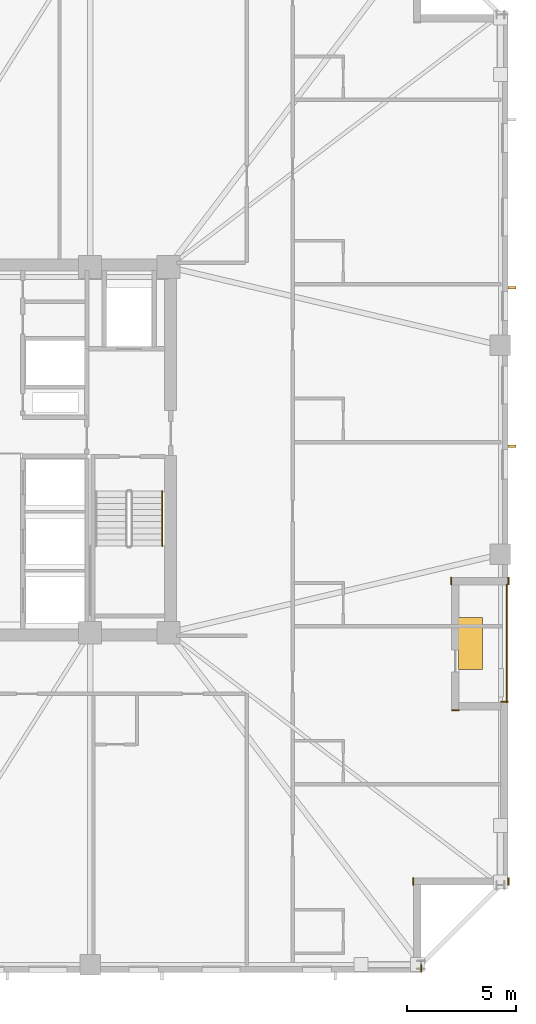
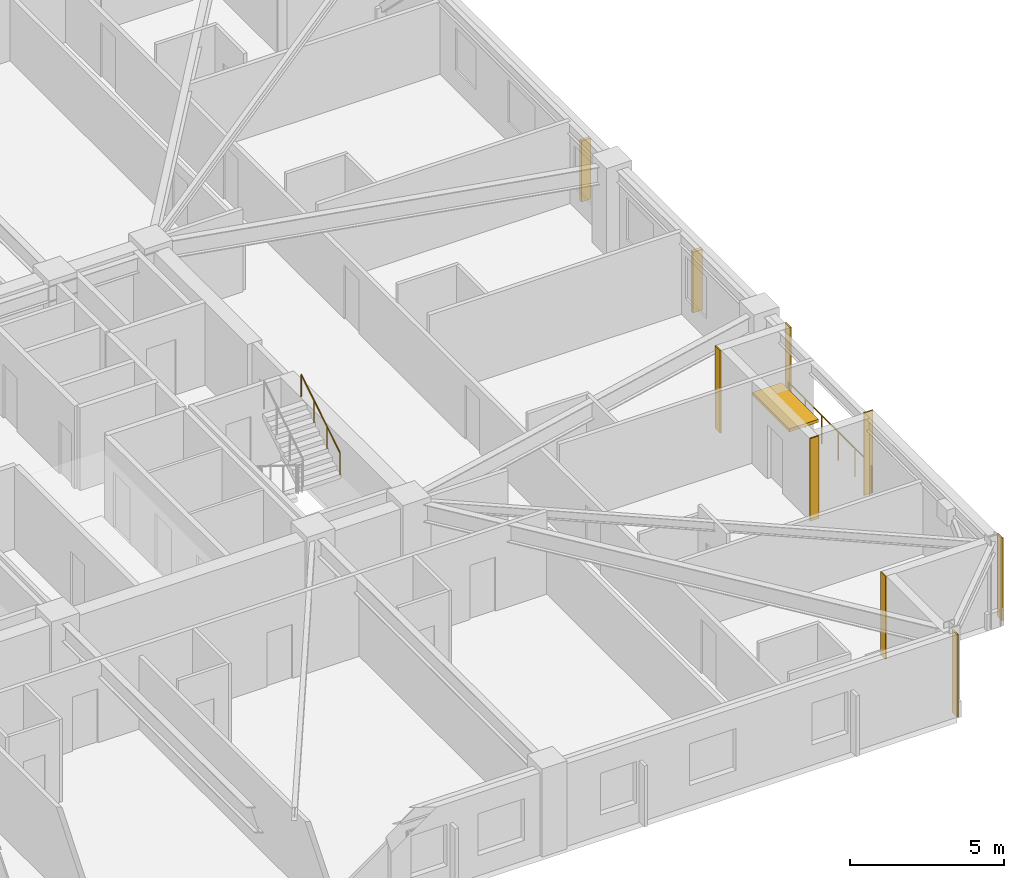
# One storey, part 9 of 11: 7 coverings, 3 shading devices, 2 railings.
"""IFC4 building model written with IfcOpenShell, lengths in metres."""

from ifc_helpers import new_model, si_unit, direction, frame, frame_2d, origin, origin_2d, place, context, subcontext, project, spatial, rectangle, circle, extrude, material, layer, layer_set, type_object, element, save


model = new_model("IFC4")

# Units and contexts
model_context = context("Model", 3, precision=1e-05, world=origin(), true_north=direction((0.0, 1.0)))
body_context = subcontext(model_context, "Body", "Model", "MODEL_VIEW")
ifc_project = project(units=[si_unit("LENGTHUNIT", "METRE"), si_unit("AREAUNIT", "SQUARE_METRE"), si_unit("VOLUMEUNIT", "CUBIC_METRE"), si_unit("PLANEANGLEUNIT", "RADIAN"), si_unit("MASSUNIT", "GRAM", prefix="KILO")], contexts=[model_context])

# Site, building, storey
site_placement = place(None, origin())
site = spatial("IfcSite", under=ifc_project, at=site_placement, CompositionType="ELEMENT")
building_placement = place(site_placement, origin())
building = spatial("IfcBuilding", under=site, at=building_placement, Name="Cairnveth Concourse Tower", CompositionType="ELEMENT")
storey_placement = place(building_placement, frame((0.0, 0.0, 176.0)))
storey = spatial("IfcBuildingStorey", under=building, at=storey_placement, Name="L48", CompositionType="ELEMENT", Elevation=176.0)

# Coverings
ifc_material_1 = material(Name="Dressed Melbourne Bluestone Cladding", Category="masonry")
ifc_layer = layer(ifc_material_1, 0.050048828125)
ifc_layer_set = layer_set([ifc_layer], Name="Dressed Melbourne Bluestone Cladding")
covering_type = type_object("IfcCoveringType", Name="DRESSED BLUESTONE PLINTH CLADDING 50", PredefinedType="CLADDING", material=ifc_layer_set)
for number, where, z_axis, x_axis, name in (
    (1, (75.659912109375, 27.419921875, 0.0), (0.0, 0.0, 1.0), (1.0, 0.0, 0.0), "Melbourne Bluestone Corner Quoin L48-707"),
    (2, (76.02001953125, 19.340087890625, 0.0), (0.0, 0.0, 1.0), (0.0, -1.0, 0.0), "Melbourne Bluestone Corner Quoin L48-708"),
    (3, (71.639892578125, 19.340087890625, 0.0), (0.0, 0.0, 1.0), (0.0, -1.0, 0.0), "Melbourne Bluestone Corner Quoin L48-709"),
    (4, (72.02001953125, 15.340087890625, 0.0), (0.0, 0.0, 1.0), (0.0, -1.0, 0.0), "Melbourne Bluestone Corner Quoin L48-710"),
):
    element("IfcCovering", number, at=place(storey_placement, frame(where, z_axis=z_axis, x_axis=x_axis)), inside=storey, type_object=covering_type, Name=name, PredefinedType="CLADDING", context=body_context, shape_type="SweptSolid", body=[
        extrude(rectangle(XDim=0.340087890625, YDim=0.050048828125, at=frame_2d((0.169921875, 0.0))), origin(), (0.0, 0.0, 1.0), 3.280029296875),
    ])
for number, where, z_axis, x_axis, name in (
    (5, (76.02001953125, 33.139892578125, 0.0), (0.0, 0.0, 1.0), (0.0, -1.0, 0.0), "Melbourne Bluestone Corner Quoin L48-720"),
    (6, (73.389892578125, 33.139892578125, 0.0), (0.0, 0.0, 1.0), (0.0, -1.0, 0.0), "Melbourne Bluestone Corner Quoin L48-721"),
):
    element("IfcCovering", number, at=place(storey_placement, frame(where, z_axis=z_axis, x_axis=x_axis)), inside=storey, type_object=covering_type, Name=name, PredefinedType="CLADDING", context=body_context, shape_type="SweptSolid", body=[
        extrude(rectangle(XDim=0.33984375, YDim=0.050048828125, at=frame_2d((0.169921875, 0.0))), origin(), (0.0, 0.0, 1.0), 3.280029296875),
    ])
covering_placement = place(storey_placement, frame((73.409912109375, 27.0400390625, 0.0), z_axis=(0.0, 0.0, 1.0), x_axis=(1.0, 0.0, 0.0)))
element("IfcCovering", 7, at=covering_placement, inside=storey, type_object=covering_type, Name="Melbourne Bluestone Corner Quoin L48-722", PredefinedType="CLADDING", context=body_context, shape_type="SweptSolid", body=[
    extrude(rectangle(XDim=0.340087890625, YDim=0.050048828125, at=frame_2d((0.169921875, 0.0))), origin(), (0.0, 0.0, 1.0), 3.280029296875),
])

# Shading devices
ifc_material_2 = material(Name="Architectural Bronze Anodised Aluminium 6063-T6", Category="aluminium")
shading_device_type_1 = type_object("IfcShadingDeviceType", Name="GOTHIC BRONZE VERTICAL LANCET FIN", PredefinedType="USERDEFINED", material=ifc_material_2)
for number, where, z_axis, x_axis, name in (
    (8, (76.175048828125, 46.444091796875, 0.030029296875), (0.0, 0.0, 1.0), (0.0, 1.0, 0.0), "Gothic Bronze Vertical Fin L48-12-3"),
    (9, (76.175048828125, 39.171142578125, 0.030029296875), (0.0, 0.0, 1.0), (0.0, 1.0, 0.0), "Gothic Bronze Vertical Fin L48-12-5"),
):
    element("IfcShadingDevice", number, at=place(storey_placement, frame(where, z_axis=z_axis, x_axis=x_axis)), inside=storey, type_object=shading_device_type_1, Name=name, ObjectType="VERTICAL FIN", PredefinedType="USERDEFINED", context=body_context, shape_type="SweptSolid", body=[
        extrude(rectangle(XDim=0.1201171875, YDim=0.360107421875, at=origin_2d()), origin(), (0.0, 0.0, 1.0), 2.419921875),
    ])
shading_device_type_2 = type_object("IfcShadingDeviceType", Name="SPIRAL TERRACE SUNSHADE CANOPY", PredefinedType="USERDEFINED", material=ifc_material_2)
shading_device_placement = place(storey_placement, frame((74.27001953125, 30.10009765625, 2.300048828125), z_axis=(0.0, 0.0, 1.0), x_axis=(1.0, 0.0, 0.0)))
element("IfcShadingDevice", 10, at=shading_device_placement, inside=storey, type_object=shading_device_type_2, Name="Spiral Terrace Sunshade L48", ObjectType="TERRACE SUNSHADE", PredefinedType="USERDEFINED", context=body_context, shape_type="SweptSolid", body=[
    extrude(rectangle(XDim=1.10009765625, YDim=2.39990234375, at=origin_2d()), origin(), (0.0, 0.0, 1.0), 0.1201171875),
])

# Railings
ifc_material_3 = material(Name="Steel Grade 350", Category="steel")
railing_type_1 = type_object("IfcRailingType", Name="STAIR WALL HANDRAIL 900", PredefinedType="HANDRAIL", material=ifc_material_3)
railing_1_placement = place(storey_placement, frame((60.110107421875, 34.580078125, 1.925048828125)))
element("IfcRailing", 11, at=railing_1_placement, inside=storey, type_object=railing_type_1, Name="L48 ST-2 stair handrail 2", PredefinedType="HANDRAIL", context=body_context, shape_type="SweptSolid", body=[
    extrude(circle(Radius=0.02392578125, at=origin_2d()), frame((0.0, 0.0, 0.8759765625), z_axis=(0.0, 0.848007534815, 0.529984170421), x_axis=(-1.0, 0.0, 0.0)), (0.0, 0.0, 1.0), 2.9716796875),
    extrude(circle(Radius=0.02099609375, at=origin_2d()), origin(), (0.0, 0.0, 1.0), 0.851806640625),
    extrude(circle(Radius=0.02099609375, at=origin_2d()), frame((0.0, 0.840087890625, 0.52490234375)), (0.0, 0.0, 1.0), 0.851806640625),
    extrude(circle(Radius=0.02099609375, at=origin_2d()), frame((0.0, 1.679931640625, 1.050048828125)), (0.0, 0.0, 1.0), 0.851806640625),
    extrude(circle(Radius=0.02099609375, at=origin_2d()), frame((0.0, 2.52001953125, 1.574951171875)), (0.0, 0.0, 1.0), 0.851806640625),
])
railing_type_2 = type_object("IfcRailingType", Name="TERRACE BRONZE BALUSTRADE 1150", PredefinedType="BALUSTRADE", material=ifc_material_2)
railing_2_placement = place(storey_placement, frame((75.93994140625, 27.39990234375, 0.0)))
element("IfcRailing", 12, at=railing_2_placement, inside=storey, type_object=railing_type_2, Name="Terrace Balustrade RL-L48-TERR", PredefinedType="BALUSTRADE", context=body_context, shape_type="SweptSolid", body=[
    extrude(circle(Radius=0.02490234375, at=origin_2d()), frame((0.0, 0.0, 1.125), z_axis=(0.0, 1.0, 0.0), x_axis=(-1.0, 0.0, 0.0)), (0.0, 0.0, 1.0), 5.400146484375),
    extrude(circle(Radius=0.02099609375, at=origin_2d()), origin(), (0.0, 0.0, 1.0), 1.099853515625),
    extrude(circle(Radius=0.02099609375, at=origin_2d()), frame((0.0, 1.080078125, 0.0)), (0.0, 0.0, 1.0), 1.099853515625),
    extrude(circle(Radius=0.02099609375, at=origin_2d()), frame((0.0, 2.16015625, 0.0)), (0.0, 0.0, 1.0), 1.099853515625),
    extrude(circle(Radius=0.02099609375, at=origin_2d()), frame((0.0, 3.239990234375, 0.0)), (0.0, 0.0, 1.0), 1.099853515625),
    extrude(circle(Radius=0.02099609375, at=origin_2d()), frame((0.0, 4.320068359375, 0.0)), (0.0, 0.0, 1.0), 1.099853515625),
    extrude(circle(Radius=0.02099609375, at=origin_2d()), frame((0.0, 5.400146484375, 0.0)), (0.0, 0.0, 1.0), 1.099853515625),
])

save(model, "model.ifc")
